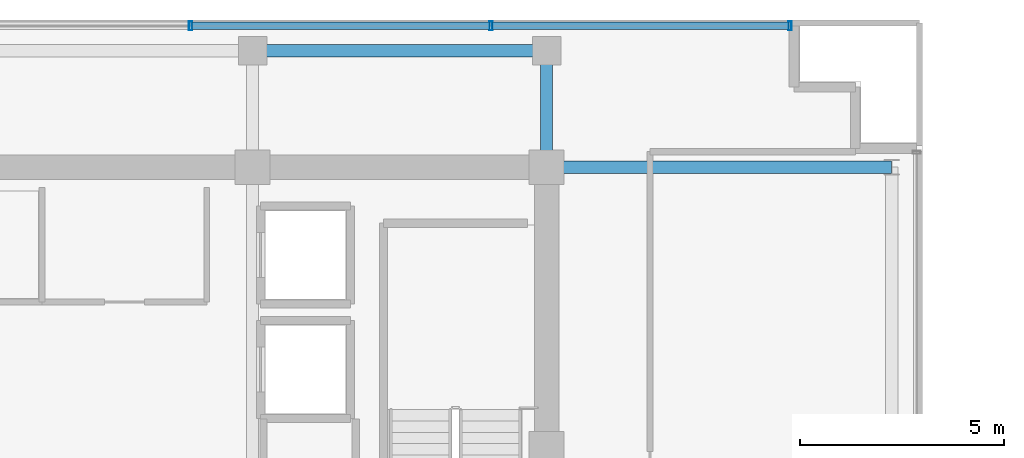
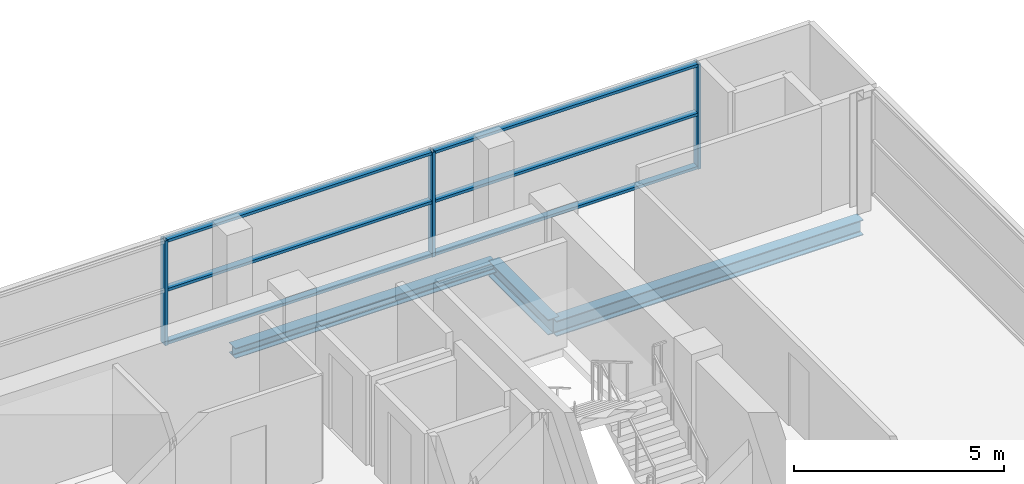
# One storey, part 12 of 22: 9 members, 3 beams, 1 element without a shape of its own.
"""IFC4 building model written with IfcOpenShell, lengths in metres."""

from ifc_helpers import new_model, si_unit, direction, frame, origin, origin_2d, place, context, subcontext, project, spatial, hollow_rectangle, i_section, extrude, source, transform, mapped, material, layer, layer_set, material_profile, profile_set, type_object, element, aggregate, save


model = new_model("IFC4")

# Units and contexts
model_context = context("Model", 3, precision=1e-05, world=origin(), true_north=direction((0.0, 1.0)))
body_context = subcontext(model_context, "Body", "Model", "MODEL_VIEW")
ifc_project = project(units=[si_unit("LENGTHUNIT", "METRE"), si_unit("AREAUNIT", "SQUARE_METRE"), si_unit("VOLUMEUNIT", "CUBIC_METRE"), si_unit("PLANEANGLEUNIT", "RADIAN"), si_unit("MASSUNIT", "GRAM", prefix="KILO")], contexts=[model_context])

# Site, building, storey
site_placement = place(None, origin())
site = spatial("IfcSite", under=ifc_project, at=site_placement, CompositionType="ELEMENT")
building_placement = place(site_placement, origin())
building = spatial("IfcBuilding", under=site, at=building_placement, Name="Zarnakvel Exchange Tower", CompositionType="ELEMENT")
storey_placement = place(building_placement, frame((0.0, 0.0, 245.199951171875)))
storey = spatial("IfcBuildingStorey", under=building, at=storey_placement, Name="L69", CompositionType="ELEMENT", Elevation=245.199951171875)

# Beams
ifc_material_1 = material(Name="Steel S355", Category="steel")
ifc_material_profile_1 = material_profile(ifc_material_1, i_section(OverallWidth=0.300048828125, OverallDepth=0.449951171875, WebThickness=0.013916015625, FlangeThickness=0.02587890625, FilletRadius=0.027099609375, at=origin_2d()))
ifc_profile_set_1 = profile_set([ifc_material_profile_1], Name="Steel S355")
beam_type_1 = type_object("IfcBeamType", Name="G-07", PredefinedType="BEAM", material=ifc_profile_set_1)
beam_1_placement = place(storey_placement, frame((14.39990234375, 13.5, -0.449951171875), z_axis=(1.0, 0.0, 0.0), x_axis=(0.0, 1.0, 0.0)))
element("IfcBeam", 1, at=beam_1_placement, inside=storey, type_object=beam_type_1, Name="L69 Tower E-W Frame Beam", PredefinedType="BEAM", context=body_context, shape_type="SweptSolid", body=[
    extrude(i_section(OverallWidth=0.300048828125, OverallDepth=0.449951171875, WebThickness=0.013916015625, FlangeThickness=0.02587890625, FilletRadius=0.027099609375, at=origin_2d()), origin(), (0.0, 0.0, 1.0), 8.4501953125),
])
beam_2_placement = place(storey_placement, frame((14.39990234375, 13.5, -0.449951171875), z_axis=(0.0, 1.0, 0.0), x_axis=(-1.0, 0.0, 0.0)))
element("IfcBeam", 2, at=beam_2_placement, inside=storey, type_object=beam_type_1, Name="L69 Tower N-S Frame Beam", PredefinedType="BEAM", context=body_context, shape_type="SweptSolid", body=[
    extrude(i_section(OverallWidth=0.300048828125, OverallDepth=0.449951171875, WebThickness=0.013916015625, FlangeThickness=0.02587890625, FilletRadius=0.027099609375, at=origin_2d()), origin(), (0.0, 0.0, 1.0), 2.85009765625),
])
ifc_material_profile_2 = material_profile(ifc_material_1, i_section(OverallWidth=0.300048828125, OverallDepth=0.300048828125, WebThickness=0.010986328125, FlangeThickness=0.01904296875, FilletRadius=0.027099609375, at=origin_2d()))
ifc_profile_set_2 = profile_set([ifc_material_profile_2], Name="Steel S355")
beam_type_2 = type_object("IfcBeamType", Name="SP-03", PredefinedType="SPANDREL", material=ifc_profile_set_2)
beam_3_placement = place(storey_placement, frame((7.199951171875, 16.35009765625, -0.375), z_axis=(1.0, 0.0, 0.0), x_axis=(0.0, 1.0, 0.0)))
element("IfcBeam", 3, at=beam_3_placement, inside=storey, type_object=beam_type_2, Name="L69 Tower E-W Frame Beam", PredefinedType="SPANDREL", context=body_context, shape_type="SweptSolid", body=[
    extrude(i_section(OverallWidth=0.300048828125, OverallDepth=0.300048828125, WebThickness=0.010986328125, FlangeThickness=0.01904296875, FilletRadius=0.027099609375, at=origin_2d()), origin(), (0.0, 0.0, 1.0), 7.199951171875),
])

# Curtain wall, members
ifc_material_2 = material(Name="Architectural Bronze Anodised Aluminium", Category="aluminium")
ifc_layer = layer(ifc_material_2, 0.219970703125)
ifc_layer_set = layer_set([ifc_layer], Name="Architectural Bronze Anodised Aluminium")
curtain_wall_type = type_object("IfcCurtainWallType", Name="CW-03", PredefinedType="NOTDEFINED", material=ifc_layer_set)
curtain_wall_placement = place(storey_placement, origin())
curtain_wall = element("IfcCurtainWall", 4, at=curtain_wall_placement, inside=storey, type_object=curtain_wall_type, Name="L69 Curtain Wall CW-L69-N1 (CW-03)", PredefinedType="NOTDEFINED")
ifc_material_profile_3 = material_profile(ifc_material_2, hollow_rectangle(XDim=0.219970703125, YDim=0.080078125, WallThickness=0.0048828125, at=origin_2d()))
ifc_profile_set_3 = profile_set([ifc_material_profile_3], Name="Architectural Bronze Anodised Aluminium")
member_type_1 = type_object("IfcMemberType", Name="CWM-03", PredefinedType="MULLION", material=ifc_profile_set_3)
shared_shape_1 = source(origin(), body_context, "Body", "SweptSolid", [
    extrude(hollow_rectangle(XDim=0.219970703125, YDim=0.080078125, WallThickness=0.0048828125, at=origin_2d()), origin(), (0.0, 0.0, 1.0), 3.054931640625),
])
member_1_placement = place(storey_placement, frame((5.679931640625, 16.9599609375, 0.0), z_axis=(0.0, 0.0, 1.0), x_axis=(0.0, 1.0, 0.0)))
member_1 = element("IfcMember", 5, at=member_1_placement, type_object=member_type_1, Name="CW-03 mullion 4", PredefinedType="MULLION", context=body_context, shape_type="MappedRepresentation", body=[
    mapped(shared_shape_1, transform((0.0, 0.0, 0.0), x_axis=(1.0, 0.0, 0.0), y_axis=(0.0, 1.0, 0.0), z_axis=(0.0, 0.0, 1.0), scale=1.0)),
])
member_2_placement = place(storey_placement, frame((13.0400390625, 16.9599609375, 0.0), z_axis=(0.0, 0.0, 1.0), x_axis=(0.0, 1.0, 0.0)))
member_2 = element("IfcMember", 6, at=member_2_placement, type_object=member_type_1, Name="CW-03 mullion 5", PredefinedType="MULLION", context=body_context, shape_type="MappedRepresentation", body=[
    mapped(shared_shape_1, transform((0.0, 0.0, 0.0), x_axis=(1.0, 0.0, 0.0), y_axis=(0.0, 1.0, 0.0), z_axis=(0.0, 0.0, 1.0), scale=1.0)),
])
member_3_placement = place(storey_placement, frame((20.360107421875, 16.9599609375, 0.0), z_axis=(0.0, 0.0, 1.0), x_axis=(0.0, 1.0, 0.0)))
member_3 = element("IfcMember", 7, at=member_3_placement, type_object=member_type_1, Name="CW-03 mullion 6", PredefinedType="MULLION", context=body_context, shape_type="MappedRepresentation", body=[
    mapped(shared_shape_1, transform((0.0, 0.0, 0.0), x_axis=(1.0, 0.0, 0.0), y_axis=(0.0, 1.0, 0.0), z_axis=(0.0, 0.0, 1.0), scale=1.0)),
])
ifc_material_profile_4 = material_profile(ifc_material_2, hollow_rectangle(XDim=0.179931640625, YDim=0.080078125, WallThickness=0.00390625, at=origin_2d()))
ifc_profile_set_4 = profile_set([ifc_material_profile_4], Name="Architectural Bronze Anodised Aluminium")
member_type_2 = type_object("IfcMemberType", Name="CWT-03", PredefinedType="USERDEFINED", material=ifc_profile_set_4)
shared_shape_2 = source(origin(), body_context, "Body", "SweptSolid", [
    extrude(hollow_rectangle(XDim=0.179931640625, YDim=0.080078125, WallThickness=0.00390625, at=origin_2d()), origin(), (0.0, 0.0, 1.0), 7.239990234375),
])
member_4_placement = place(storey_placement, frame((13.080078125, 16.9599609375, 0.0400390625), z_axis=(1.0, 0.0, 0.0), x_axis=(0.0, 1.0, 0.0)))
member_4 = element("IfcMember", 8, at=member_4_placement, type_object=member_type_2, Name="CW-03 transom 5.1", ObjectType="TRANSOM", PredefinedType="USERDEFINED", context=body_context, shape_type="MappedRepresentation", body=[
    mapped(shared_shape_2, transform((0.0, 0.0, 0.0), x_axis=(1.0, 0.0, 0.0), y_axis=(0.0, 1.0, 0.0), z_axis=(0.0, 0.0, 1.0), scale=1.0)),
])
member_5_placement = place(storey_placement, frame((13.080078125, 16.9599609375, 1.588623046875), z_axis=(1.0, 0.0, 0.0), x_axis=(0.0, 1.0, 0.0)))
member_5 = element("IfcMember", 9, at=member_5_placement, type_object=member_type_2, Name="CW-03 transom 5.2", ObjectType="TRANSOM", PredefinedType="USERDEFINED", context=body_context, shape_type="MappedRepresentation", body=[
    mapped(shared_shape_2, transform((0.0, 0.0, 0.0), x_axis=(1.0, 0.0, 0.0), y_axis=(0.0, 1.0, 0.0), z_axis=(0.0, 0.0, 1.0), scale=1.0)),
])
member_6_placement = place(storey_placement, frame((13.080078125, 16.9599609375, 3.01513671875), z_axis=(1.0, 0.0, 0.0), x_axis=(0.0, 1.0, 0.0)))
member_6 = element("IfcMember", 10, at=member_6_placement, type_object=member_type_2, Name="CW-03 transom 5.3", ObjectType="TRANSOM", PredefinedType="USERDEFINED", context=body_context, shape_type="MappedRepresentation", body=[
    mapped(shared_shape_2, transform((0.0, 0.0, 0.0), x_axis=(1.0, 0.0, 0.0), y_axis=(0.0, 1.0, 0.0), z_axis=(0.0, 0.0, 1.0), scale=1.0)),
])
shared_shape_3 = source(origin(), body_context, "Body", "SweptSolid", [
    extrude(hollow_rectangle(XDim=0.179931640625, YDim=0.080078125, WallThickness=0.00390625, at=origin_2d()), origin(), (0.0, 0.0, 1.0), 7.280029296875),
])
member_7_placement = place(storey_placement, frame((5.719970703125, 16.9599609375, 0.0400390625), z_axis=(1.0, 0.0, 0.0), x_axis=(0.0, 1.0, 0.0)))
member_7 = element("IfcMember", 11, at=member_7_placement, type_object=member_type_2, Name="CW-03 transom 4.1", ObjectType="TRANSOM", PredefinedType="USERDEFINED", context=body_context, shape_type="MappedRepresentation", body=[
    mapped(shared_shape_3, transform((0.0, 0.0, 0.0), x_axis=(1.0, 0.0, 0.0), y_axis=(0.0, 1.0, 0.0), z_axis=(0.0, 0.0, 1.0), scale=1.0)),
])
member_8_placement = place(storey_placement, frame((5.719970703125, 16.9599609375, 1.588623046875), z_axis=(1.0, 0.0, 0.0), x_axis=(0.0, 1.0, 0.0)))
member_8 = element("IfcMember", 12, at=member_8_placement, type_object=member_type_2, Name="CW-03 transom 4.2", ObjectType="TRANSOM", PredefinedType="USERDEFINED", context=body_context, shape_type="MappedRepresentation", body=[
    mapped(shared_shape_3, transform((0.0, 0.0, 0.0), x_axis=(1.0, 0.0, 0.0), y_axis=(0.0, 1.0, 0.0), z_axis=(0.0, 0.0, 1.0), scale=1.0)),
])
member_9_placement = place(storey_placement, frame((5.719970703125, 16.9599609375, 3.01513671875), z_axis=(1.0, 0.0, 0.0), x_axis=(0.0, 1.0, 0.0)))
member_9 = element("IfcMember", 13, at=member_9_placement, type_object=member_type_2, Name="CW-03 transom 4.3", ObjectType="TRANSOM", PredefinedType="USERDEFINED", context=body_context, shape_type="MappedRepresentation", body=[
    mapped(shared_shape_3, transform((0.0, 0.0, 0.0), x_axis=(1.0, 0.0, 0.0), y_axis=(0.0, 1.0, 0.0), z_axis=(0.0, 0.0, 1.0), scale=1.0)),
])
aggregate(curtain_wall, [member_1, member_2, member_3, member_7, member_8, member_9, member_4, member_5, member_6])

save(model, "model.ifc")
